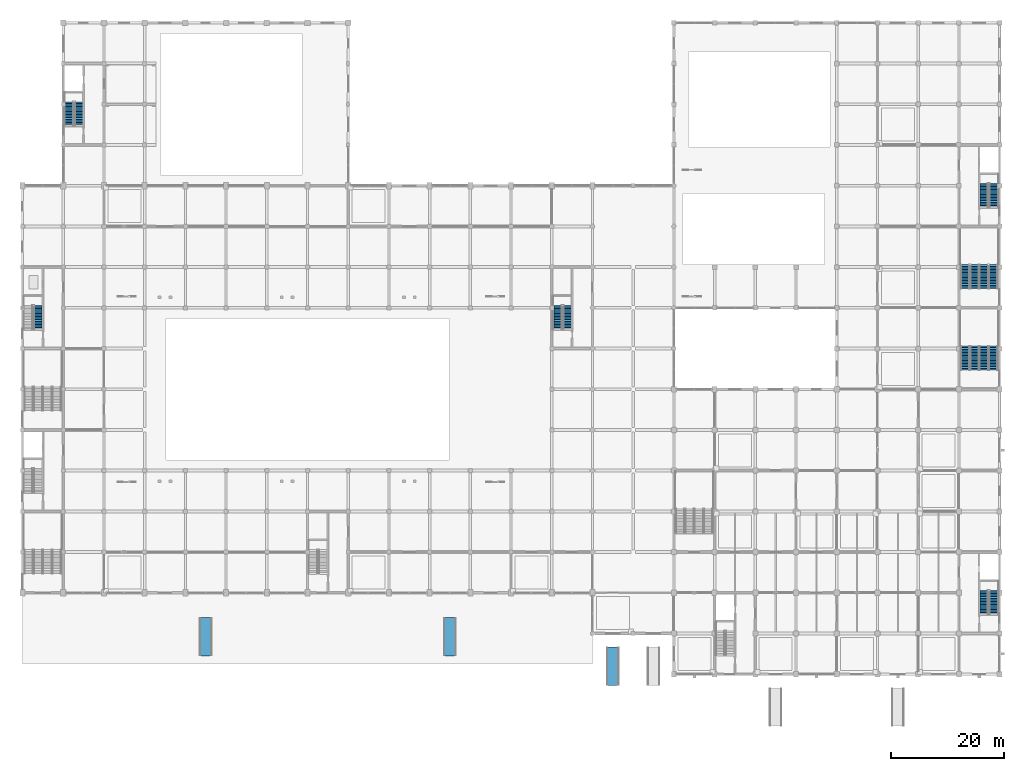
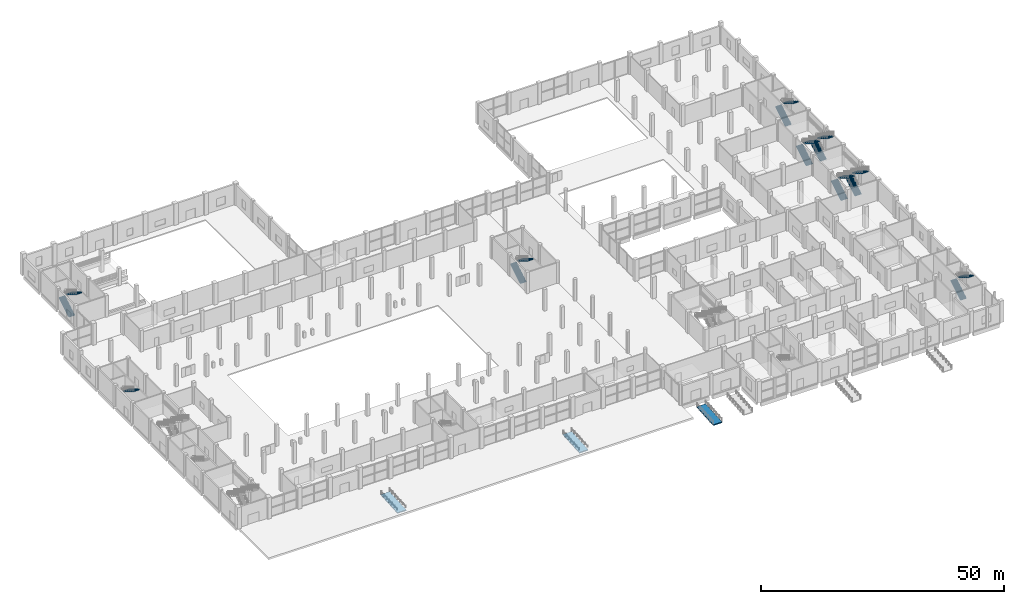
# One storey, part 55 of 70: 17 stair flights, 3 ramp flights, 12 elements without a shape of their own.
"""IFC4 building model written with IfcOpenShell, lengths in metres."""

from ifc_helpers import new_model, si_unit, direction, frame, origin, place, context, subcontext, project, spatial, polyline, outline, extrude, material, layer, layer_set, type_object, element, aggregate, save


model = new_model("IFC4")

# Units and contexts
model_context = context("Model", 3, precision=1e-05, world=origin(), true_north=direction((0.0, 1.0)))
body_context = subcontext(model_context, "Body", "Model", "MODEL_VIEW")
ifc_project = project(units=[si_unit("LENGTHUNIT", "METRE"), si_unit("AREAUNIT", "SQUARE_METRE"), si_unit("VOLUMEUNIT", "CUBIC_METRE"), si_unit("PLANEANGLEUNIT", "RADIAN"), si_unit("MASSUNIT", "GRAM", prefix="KILO")], contexts=[model_context])

# Site, building, storey
site_placement = place(None, origin())
site = spatial("IfcSite", under=ifc_project, at=site_placement, CompositionType="ELEMENT")
building_placement = place(site_placement, origin())
building = spatial("IfcBuilding", under=site, at=building_placement, Name="Vesperath Aquatics Centre", CompositionType="ELEMENT")
storey_placement = place(building_placement, origin())
storey = spatial("IfcBuildingStorey", under=building, at=storey_placement, Name="L00", CompositionType="ELEMENT", Elevation=0.0)

# Stair, stair flight
ifc_material_1 = material(Name="Concrete C35", Category="concrete")
stair_type_1 = type_object("IfcStairType", Name="ST-HT54", PredefinedType="HALF_TURN_STAIR", material=ifc_material_1)
stair_1_placement = place(storey_placement, origin())
stair_1 = element("IfcStair", 1, at=stair_1_placement, inside=storey, type_object=stair_type_1, Name="Enclosed Exit Stair ST2 L00", PredefinedType="HALF_TURN_STAIR")
stair_flight_type_1 = type_object("IfcStairFlightType", Name="SF-F54", PredefinedType="STRAIGHT", material=ifc_material_1)
stair_flight_1_placement = place(storey_placement, frame((2.75, 65.219970703125, 2.699951171875), z_axis=(0.0, 0.0, 1.0), x_axis=(0.0, -1.0, 0.0)))
stair_flight_1 = element("IfcStairFlight", 2, at=stair_flight_1_placement, type_object=stair_flight_type_1, Name="Stair ST2 Flight 2 L00", NumberOfRisers=16, NumberOfTreads=15, PredefinedType="STRAIGHT", RiserHeight=0.16875, TreadLength=0.28, context=body_context, shape_type="SweptSolid", body=[
    extrude(outline(polyline([(0.0, 0.0), (0.0, 0.168701171875), (0.280029296875, 0.168701171875), (0.280029296875, 0.33740234375), (0.56005859375, 0.33740234375), (0.56005859375, 0.50634765625), (0.840087890625, 0.50634765625), (0.840087890625, 0.675048828125), (1.1201171875, 0.675048828125), (1.1201171875, 0.84375), (1.39990234375, 0.84375), (1.39990234375, 1.012451171875), (1.679931640625, 1.012451171875), (1.679931640625, 1.18115234375), (1.9599609375, 1.18115234375), (1.9599609375, 1.35009765625), (2.239990234375, 1.35009765625), (2.239990234375, 1.518798828125), (2.52001953125, 1.518798828125), (2.52001953125, 1.6875), (2.800048828125, 1.6875), (2.800048828125, 1.856201171875), (3.080078125, 1.856201171875), (3.080078125, 2.02490234375), (3.360107421875, 2.02490234375), (3.360107421875, 2.19384765625), (3.639892578125, 2.19384765625), (3.639892578125, 2.362548828125), (3.919921875, 2.362548828125), (3.919921875, 2.53125), (4.199951171875, 2.53125), (4.199951171875, 2.699951171875), (4.199951171875, 2.3212890625), (0.3486328125, 0.0), (0.0, 0.0)])), frame((0.0, 0.719970703125, 0.0), z_axis=(0.0, -1.0, 0.0), x_axis=(1.0, 0.0, 0.0)), (0.0, 0.0, 1.0), 1.43994140625),
])
aggregate(stair_1, [stair_flight_1])

# Stair, stair flights
stair_2_placement = place(storey_placement, origin())
stair_2 = element("IfcStair", 3, at=stair_2_placement, inside=storey, type_object=stair_type_1, Name="Enclosed Exit Stair ST8 L00", PredefinedType="HALF_TURN_STAIR")
stair_flight_2_placement = place(storey_placement, frame((94.669921875, 61.02001953125, 0.0), z_axis=(0.0, 0.0, 1.0), x_axis=(0.0, 1.0, 0.0)))
stair_flight_2 = element("IfcStairFlight", 4, at=stair_flight_2_placement, type_object=stair_flight_type_1, Name="Stair ST8 Flight 1 L00", NumberOfRisers=16, NumberOfTreads=15, PredefinedType="STRAIGHT", RiserHeight=0.16875, TreadLength=0.28, context=body_context, shape_type="SweptSolid", body=[
    extrude(outline(polyline([(0.0, 0.0), (0.0, 0.168701171875), (0.280029296875, 0.168701171875), (0.280029296875, 0.33740234375), (0.56005859375, 0.33740234375), (0.56005859375, 0.50634765625), (0.840087890625, 0.50634765625), (0.840087890625, 0.675048828125), (1.1201171875, 0.675048828125), (1.1201171875, 0.84375), (1.39990234375, 0.84375), (1.39990234375, 1.012451171875), (1.679931640625, 1.012451171875), (1.679931640625, 1.18115234375), (1.9599609375, 1.18115234375), (1.9599609375, 1.35009765625), (2.239990234375, 1.35009765625), (2.239990234375, 1.518798828125), (2.52001953125, 1.518798828125), (2.52001953125, 1.6875), (2.800048828125, 1.6875), (2.800048828125, 1.856201171875), (3.080078125, 1.856201171875), (3.080078125, 2.02490234375), (3.360107421875, 2.02490234375), (3.360107421875, 2.19384765625), (3.639892578125, 2.19384765625), (3.639892578125, 2.362548828125), (3.919921875, 2.362548828125), (3.919921875, 2.53125), (4.199951171875, 2.53125), (4.199951171875, 2.699951171875), (4.199951171875, 2.3212890625), (0.3486328125, 0.0), (0.0, 0.0)])), frame((0.0, 0.719970703125, 0.0), z_axis=(0.0, -1.0, 0.0), x_axis=(1.0, 0.0, 0.0)), (0.0, 0.0, 1.0), 1.43994140625),
])
stair_flight_3_placement = place(storey_placement, frame((96.35009765625, 65.219970703125, 2.699951171875), z_axis=(0.0, 0.0, 1.0), x_axis=(0.0, -1.0, 0.0)))
stair_flight_3 = element("IfcStairFlight", 5, at=stair_flight_3_placement, type_object=stair_flight_type_1, Name="Stair ST8 Flight 2 L00", NumberOfRisers=16, NumberOfTreads=15, PredefinedType="STRAIGHT", RiserHeight=0.16875, TreadLength=0.28, context=body_context, shape_type="SweptSolid", body=[
    extrude(outline(polyline([(0.0, 0.0), (0.0, 0.168701171875), (0.280029296875, 0.168701171875), (0.280029296875, 0.33740234375), (0.56005859375, 0.33740234375), (0.56005859375, 0.50634765625), (0.840087890625, 0.50634765625), (0.840087890625, 0.675048828125), (1.1201171875, 0.675048828125), (1.1201171875, 0.84375), (1.39990234375, 0.84375), (1.39990234375, 1.012451171875), (1.679931640625, 1.012451171875), (1.679931640625, 1.18115234375), (1.9599609375, 1.18115234375), (1.9599609375, 1.35009765625), (2.239990234375, 1.35009765625), (2.239990234375, 1.518798828125), (2.52001953125, 1.518798828125), (2.52001953125, 1.6875), (2.800048828125, 1.6875), (2.800048828125, 1.856201171875), (3.080078125, 1.856201171875), (3.080078125, 2.02490234375), (3.360107421875, 2.02490234375), (3.360107421875, 2.19384765625), (3.639892578125, 2.19384765625), (3.639892578125, 2.362548828125), (3.919921875, 2.362548828125), (3.919921875, 2.53125), (4.199951171875, 2.53125), (4.199951171875, 2.699951171875), (4.199951171875, 2.3212890625), (0.3486328125, 0.0), (0.0, 0.0)])), frame((0.0, 0.719970703125, 0.0), z_axis=(0.0, -1.0, 0.0), x_axis=(1.0, 0.0, 0.0)), (0.0, 0.0, 1.0), 1.43994140625),
])
aggregate(stair_2, [stair_flight_2, stair_flight_3])

stair_3_placement = place(storey_placement, origin())
stair_3 = element("IfcStair", 6, at=stair_3_placement, inside=storey, type_object=stair_type_1, Name="Enclosed Exit Stair ST3 L00", PredefinedType="HALF_TURN_STAIR")
stair_flight_4_placement = place(storey_placement, frame((8.27001953125, 97.02001953125, 0.0), z_axis=(0.0, 0.0, 1.0), x_axis=(0.0, 1.0, 0.0)))
stair_flight_4 = element("IfcStairFlight", 7, at=stair_flight_4_placement, type_object=stair_flight_type_1, Name="Stair ST3 Flight 1 L00", NumberOfRisers=16, NumberOfTreads=15, PredefinedType="STRAIGHT", RiserHeight=0.16875, TreadLength=0.28, context=body_context, shape_type="SweptSolid", body=[
    extrude(outline(polyline([(0.0, 0.0), (0.0, 0.168701171875), (0.280029296875, 0.168701171875), (0.280029296875, 0.33740234375), (0.56005859375, 0.33740234375), (0.56005859375, 0.50634765625), (0.840087890625, 0.50634765625), (0.840087890625, 0.675048828125), (1.1201171875, 0.675048828125), (1.1201171875, 0.84375), (1.39990234375, 0.84375), (1.39990234375, 1.012451171875), (1.679931640625, 1.012451171875), (1.679931640625, 1.18115234375), (1.9599609375, 1.18115234375), (1.9599609375, 1.35009765625), (2.239990234375, 1.35009765625), (2.239990234375, 1.518798828125), (2.52001953125, 1.518798828125), (2.52001953125, 1.6875), (2.800048828125, 1.6875), (2.800048828125, 1.856201171875), (3.080078125, 1.856201171875), (3.080078125, 2.02490234375), (3.360107421875, 2.02490234375), (3.360107421875, 2.19384765625), (3.639892578125, 2.19384765625), (3.639892578125, 2.362548828125), (3.919921875, 2.362548828125), (3.919921875, 2.53125), (4.199951171875, 2.53125), (4.199951171875, 2.699951171875), (4.199951171875, 2.3212890625), (0.3486328125, 0.0), (0.0, 0.0)])), frame((0.0, 0.719970703125, 0.0), z_axis=(0.0, -1.0, 0.0), x_axis=(1.0, 0.0, 0.0)), (0.0, 0.0, 1.0), 1.43994140625),
])
stair_flight_5_placement = place(storey_placement, frame((9.949951171875, 101.219970703125, 2.699951171875), z_axis=(0.0, 0.0, 1.0), x_axis=(0.0, -1.0, 0.0)))
stair_flight_5 = element("IfcStairFlight", 8, at=stair_flight_5_placement, type_object=stair_flight_type_1, Name="Stair ST3 Flight 2 L00", NumberOfRisers=16, NumberOfTreads=15, PredefinedType="STRAIGHT", RiserHeight=0.16875, TreadLength=0.28, context=body_context, shape_type="SweptSolid", body=[
    extrude(outline(polyline([(0.0, 0.0), (0.0, 0.168701171875), (0.280029296875, 0.168701171875), (0.280029296875, 0.33740234375), (0.56005859375, 0.33740234375), (0.56005859375, 0.50634765625), (0.840087890625, 0.50634765625), (0.840087890625, 0.675048828125), (1.1201171875, 0.675048828125), (1.1201171875, 0.84375), (1.39990234375, 0.84375), (1.39990234375, 1.012451171875), (1.679931640625, 1.012451171875), (1.679931640625, 1.18115234375), (1.9599609375, 1.18115234375), (1.9599609375, 1.35009765625), (2.239990234375, 1.35009765625), (2.239990234375, 1.518798828125), (2.52001953125, 1.518798828125), (2.52001953125, 1.6875), (2.800048828125, 1.6875), (2.800048828125, 1.856201171875), (3.080078125, 1.856201171875), (3.080078125, 2.02490234375), (3.360107421875, 2.02490234375), (3.360107421875, 2.19384765625), (3.639892578125, 2.19384765625), (3.639892578125, 2.362548828125), (3.919921875, 2.362548828125), (3.919921875, 2.53125), (4.199951171875, 2.53125), (4.199951171875, 2.699951171875), (4.199951171875, 2.3212890625), (0.3486328125, 0.0), (0.0, 0.0)])), frame((0.0, 0.719970703125, 0.0), z_axis=(0.0, -1.0, 0.0), x_axis=(1.0, 0.0, 0.0)), (0.0, 0.0, 1.0), 1.43994140625),
])
aggregate(stair_3, [stair_flight_4, stair_flight_5])

stair_4_placement = place(storey_placement, origin())
stair_4 = element("IfcStair", 9, at=stair_4_placement, inside=storey, type_object=stair_type_1, Name="Enclosed Exit Stair ST4 L00", PredefinedType="HALF_TURN_STAIR")
stair_flight_6_placement = place(storey_placement, frame((170.070068359375, 82.6201171875, 0.0), z_axis=(0.0, 0.0, 1.0), x_axis=(0.0, 1.0, 0.0)))
stair_flight_6 = element("IfcStairFlight", 10, at=stair_flight_6_placement, type_object=stair_flight_type_1, Name="Stair ST4 Flight 1 L00", NumberOfRisers=16, NumberOfTreads=15, PredefinedType="STRAIGHT", RiserHeight=0.16875, TreadLength=0.28, context=body_context, shape_type="SweptSolid", body=[
    extrude(outline(polyline([(0.0, 0.0), (0.0, 0.168701171875), (0.280029296875, 0.168701171875), (0.280029296875, 0.33740234375), (0.56005859375, 0.33740234375), (0.56005859375, 0.50634765625), (0.840087890625, 0.50634765625), (0.840087890625, 0.675048828125), (1.1201171875, 0.675048828125), (1.1201171875, 0.84375), (1.39990234375, 0.84375), (1.39990234375, 1.012451171875), (1.679931640625, 1.012451171875), (1.679931640625, 1.18115234375), (1.9599609375, 1.18115234375), (1.9599609375, 1.35009765625), (2.239990234375, 1.35009765625), (2.239990234375, 1.518798828125), (2.52001953125, 1.518798828125), (2.52001953125, 1.6875), (2.800048828125, 1.6875), (2.800048828125, 1.856201171875), (3.080078125, 1.856201171875), (3.080078125, 2.02490234375), (3.360107421875, 2.02490234375), (3.360107421875, 2.19384765625), (3.639892578125, 2.19384765625), (3.639892578125, 2.362548828125), (3.919921875, 2.362548828125), (3.919921875, 2.53125), (4.199951171875, 2.53125), (4.199951171875, 2.699951171875), (4.199951171875, 2.3212890625), (0.3486328125, 0.0), (0.0, 0.0)])), frame((0.0, 0.719970703125, 0.0), z_axis=(0.0, -1.0, 0.0), x_axis=(1.0, 0.0, 0.0)), (0.0, 0.0, 1.0), 1.43994140625),
])
stair_flight_7_placement = place(storey_placement, frame((171.75, 86.820068359375, 2.699951171875), z_axis=(0.0, 0.0, 1.0), x_axis=(0.0, -1.0, 0.0)))
stair_flight_7 = element("IfcStairFlight", 11, at=stair_flight_7_placement, type_object=stair_flight_type_1, Name="Stair ST4 Flight 2 L00", NumberOfRisers=16, NumberOfTreads=15, PredefinedType="STRAIGHT", RiserHeight=0.16875, TreadLength=0.28, context=body_context, shape_type="SweptSolid", body=[
    extrude(outline(polyline([(0.0, 0.0), (0.0, 0.168701171875), (0.280029296875, 0.168701171875), (0.280029296875, 0.33740234375), (0.56005859375, 0.33740234375), (0.56005859375, 0.50634765625), (0.840087890625, 0.50634765625), (0.840087890625, 0.675048828125), (1.1201171875, 0.675048828125), (1.1201171875, 0.84375), (1.39990234375, 0.84375), (1.39990234375, 1.012451171875), (1.679931640625, 1.012451171875), (1.679931640625, 1.18115234375), (1.9599609375, 1.18115234375), (1.9599609375, 1.35009765625), (2.239990234375, 1.35009765625), (2.239990234375, 1.518798828125), (2.52001953125, 1.518798828125), (2.52001953125, 1.6875), (2.800048828125, 1.6875), (2.800048828125, 1.856201171875), (3.080078125, 1.856201171875), (3.080078125, 2.02490234375), (3.360107421875, 2.02490234375), (3.360107421875, 2.19384765625), (3.639892578125, 2.19384765625), (3.639892578125, 2.362548828125), (3.919921875, 2.362548828125), (3.919921875, 2.53125), (4.199951171875, 2.53125), (4.199951171875, 2.699951171875), (4.199951171875, 2.3212890625), (0.3486328125, 0.0), (0.0, 0.0)])), frame((0.0, 0.719970703125, 0.0), z_axis=(0.0, -1.0, 0.0), x_axis=(1.0, 0.0, 0.0)), (0.0, 0.0, 1.0), 1.43994140625),
])
aggregate(stair_4, [stair_flight_6, stair_flight_7])

stair_5_placement = place(storey_placement, origin())
stair_5 = element("IfcStair", 12, at=stair_5_placement, inside=storey, type_object=stair_type_1, Name="Enclosed Exit Stair ST6 L00", PredefinedType="HALF_TURN_STAIR")
stair_flight_8_placement = place(storey_placement, frame((170.070068359375, 10.6201171875, 0.0), z_axis=(0.0, 0.0, 1.0), x_axis=(0.0, 1.0, 0.0)))
stair_flight_8 = element("IfcStairFlight", 13, at=stair_flight_8_placement, type_object=stair_flight_type_1, Name="Stair ST6 Flight 1 L00", NumberOfRisers=16, NumberOfTreads=15, PredefinedType="STRAIGHT", RiserHeight=0.16875, TreadLength=0.28, context=body_context, shape_type="SweptSolid", body=[
    extrude(outline(polyline([(0.0, 0.0), (0.0, 0.168701171875), (0.280029296875, 0.168701171875), (0.280029296875, 0.33740234375), (0.56005859375, 0.33740234375), (0.56005859375, 0.50634765625), (0.840087890625, 0.50634765625), (0.840087890625, 0.675048828125), (1.1201171875, 0.675048828125), (1.1201171875, 0.84375), (1.39990234375, 0.84375), (1.39990234375, 1.012451171875), (1.679931640625, 1.012451171875), (1.679931640625, 1.18115234375), (1.9599609375, 1.18115234375), (1.9599609375, 1.35009765625), (2.239990234375, 1.35009765625), (2.239990234375, 1.518798828125), (2.52001953125, 1.518798828125), (2.52001953125, 1.6875), (2.800048828125, 1.6875), (2.800048828125, 1.856201171875), (3.080078125, 1.856201171875), (3.080078125, 2.02490234375), (3.360107421875, 2.02490234375), (3.360107421875, 2.19384765625), (3.639892578125, 2.19384765625), (3.639892578125, 2.362548828125), (3.919921875, 2.362548828125), (3.919921875, 2.53125), (4.199951171875, 2.53125), (4.199951171875, 2.699951171875), (4.199951171875, 2.3212890625), (0.3486328125, 0.0), (0.0, 0.0)])), frame((0.0, 0.719970703125, 0.0), z_axis=(0.0, -1.0, 0.0), x_axis=(1.0, 0.0, 0.0)), (0.0, 0.0, 1.0), 1.43994140625),
])
stair_flight_9_placement = place(storey_placement, frame((171.75, 14.820068359375, 2.699951171875), z_axis=(0.0, 0.0, 1.0), x_axis=(0.0, -1.0, 0.0)))
stair_flight_9 = element("IfcStairFlight", 14, at=stair_flight_9_placement, type_object=stair_flight_type_1, Name="Stair ST6 Flight 2 L00", NumberOfRisers=16, NumberOfTreads=15, PredefinedType="STRAIGHT", RiserHeight=0.16875, TreadLength=0.28, context=body_context, shape_type="SweptSolid", body=[
    extrude(outline(polyline([(0.0, 0.0), (0.0, 0.168701171875), (0.280029296875, 0.168701171875), (0.280029296875, 0.33740234375), (0.56005859375, 0.33740234375), (0.56005859375, 0.50634765625), (0.840087890625, 0.50634765625), (0.840087890625, 0.675048828125), (1.1201171875, 0.675048828125), (1.1201171875, 0.84375), (1.39990234375, 0.84375), (1.39990234375, 1.012451171875), (1.679931640625, 1.012451171875), (1.679931640625, 1.18115234375), (1.9599609375, 1.18115234375), (1.9599609375, 1.35009765625), (2.239990234375, 1.35009765625), (2.239990234375, 1.518798828125), (2.52001953125, 1.518798828125), (2.52001953125, 1.6875), (2.800048828125, 1.6875), (2.800048828125, 1.856201171875), (3.080078125, 1.856201171875), (3.080078125, 2.02490234375), (3.360107421875, 2.02490234375), (3.360107421875, 2.19384765625), (3.639892578125, 2.19384765625), (3.639892578125, 2.362548828125), (3.919921875, 2.362548828125), (3.919921875, 2.53125), (4.199951171875, 2.53125), (4.199951171875, 2.699951171875), (4.199951171875, 2.3212890625), (0.3486328125, 0.0), (0.0, 0.0)])), frame((0.0, 0.719970703125, 0.0), z_axis=(0.0, -1.0, 0.0), x_axis=(1.0, 0.0, 0.0)), (0.0, 0.0, 1.0), 1.43994140625),
])
aggregate(stair_5, [stair_flight_8, stair_flight_9])

stair_type_2 = type_object("IfcStairType", Name="ST-HW54", PredefinedType="HALF_TURN_STAIR", material=ifc_material_1)
stair_6_placement = place(storey_placement, origin())
stair_6 = element("IfcStair", 15, at=stair_6_placement, inside=storey, type_object=stair_type_2, Name="Enclosed Exit Stair ST12A L00", PredefinedType="HALF_TURN_STAIR")
stair_flight_type_2 = type_object("IfcStairFlightType", Name="SF-W54", PredefinedType="STRAIGHT", material=ifc_material_1)
stair_flight_10_placement = place(storey_placement, frame((166.72509765625, 53.820068359375, 0.0), z_axis=(0.0, 0.0, 1.0), x_axis=(0.0, 1.0, 0.0)))
stair_flight_10 = element("IfcStairFlight", 16, at=stair_flight_10_placement, type_object=stair_flight_type_2, Name="Stair ST12A Flight 1 L00", NumberOfRisers=16, NumberOfTreads=15, PredefinedType="STRAIGHT", RiserHeight=0.16875, TreadLength=0.28, context=body_context, shape_type="SweptSolid", body=[
    extrude(outline(polyline([(0.0, 0.0), (0.0, 0.168701171875), (0.280029296875, 0.168701171875), (0.280029296875, 0.33740234375), (0.56005859375, 0.33740234375), (0.56005859375, 0.50634765625), (0.840087890625, 0.50634765625), (0.840087890625, 0.675048828125), (1.1201171875, 0.675048828125), (1.1201171875, 0.84375), (1.39990234375, 0.84375), (1.39990234375, 1.012451171875), (1.679931640625, 1.012451171875), (1.679931640625, 1.18115234375), (1.9599609375, 1.18115234375), (1.9599609375, 1.35009765625), (2.239990234375, 1.35009765625), (2.239990234375, 1.518798828125), (2.52001953125, 1.518798828125), (2.52001953125, 1.6875), (2.800048828125, 1.6875), (2.800048828125, 1.856201171875), (3.080078125, 1.856201171875), (3.080078125, 2.02490234375), (3.360107421875, 2.02490234375), (3.360107421875, 2.19384765625), (3.639892578125, 2.19384765625), (3.639892578125, 2.362548828125), (3.919921875, 2.362548828125), (3.919921875, 2.53125), (4.199951171875, 2.53125), (4.199951171875, 2.699951171875), (4.199951171875, 2.3212890625), (0.3486328125, 0.0), (0.0, 0.0)])), frame((0.0, 0.78515625, 0.0), z_axis=(0.0, -1.0, 0.0), x_axis=(1.0, 0.0, 0.0)), (0.0, 0.0, 1.0), 1.570068359375),
])
stair_flight_11_placement = place(storey_placement, frame((168.375, 58.02001953125, 2.699951171875), z_axis=(0.0, 0.0, 1.0), x_axis=(0.0, -1.0, 0.0)))
stair_flight_11 = element("IfcStairFlight", 17, at=stair_flight_11_placement, type_object=stair_flight_type_2, Name="Stair ST12A Flight 2 L00", NumberOfRisers=16, NumberOfTreads=15, PredefinedType="STRAIGHT", RiserHeight=0.16875, TreadLength=0.28, context=body_context, shape_type="SweptSolid", body=[
    extrude(outline(polyline([(0.0, 0.0), (0.0, 0.168701171875), (0.280029296875, 0.168701171875), (0.280029296875, 0.33740234375), (0.56005859375, 0.33740234375), (0.56005859375, 0.50634765625), (0.840087890625, 0.50634765625), (0.840087890625, 0.675048828125), (1.1201171875, 0.675048828125), (1.1201171875, 0.84375), (1.39990234375, 0.84375), (1.39990234375, 1.012451171875), (1.679931640625, 1.012451171875), (1.679931640625, 1.18115234375), (1.9599609375, 1.18115234375), (1.9599609375, 1.35009765625), (2.239990234375, 1.35009765625), (2.239990234375, 1.518798828125), (2.52001953125, 1.518798828125), (2.52001953125, 1.6875), (2.800048828125, 1.6875), (2.800048828125, 1.856201171875), (3.080078125, 1.856201171875), (3.080078125, 2.02490234375), (3.360107421875, 2.02490234375), (3.360107421875, 2.19384765625), (3.639892578125, 2.19384765625), (3.639892578125, 2.362548828125), (3.919921875, 2.362548828125), (3.919921875, 2.53125), (4.199951171875, 2.53125), (4.199951171875, 2.699951171875), (4.199951171875, 2.3212890625), (0.3486328125, 0.0), (0.0, 0.0)])), frame((0.0, 0.78515625, 0.0), z_axis=(0.0, -1.0, 0.0), x_axis=(1.0, 0.0, 0.0)), (0.0, 0.0, 1.0), 1.570068359375),
])
aggregate(stair_6, [stair_flight_10, stair_flight_11])

stair_7_placement = place(storey_placement, origin())
stair_7 = element("IfcStair", 18, at=stair_7_placement, inside=storey, type_object=stair_type_2, Name="Enclosed Exit Stair ST12B L00", PredefinedType="HALF_TURN_STAIR")
stair_flight_12_placement = place(storey_placement, frame((170.02490234375, 53.820068359375, 0.0), z_axis=(0.0, 0.0, 1.0), x_axis=(0.0, 1.0, 0.0)))
stair_flight_12 = element("IfcStairFlight", 19, at=stair_flight_12_placement, type_object=stair_flight_type_2, Name="Stair ST12B Flight 1 L00", NumberOfRisers=16, NumberOfTreads=15, PredefinedType="STRAIGHT", RiserHeight=0.16875, TreadLength=0.28, context=body_context, shape_type="SweptSolid", body=[
    extrude(outline(polyline([(0.0, 0.0), (0.0, 0.168701171875), (0.280029296875, 0.168701171875), (0.280029296875, 0.33740234375), (0.56005859375, 0.33740234375), (0.56005859375, 0.50634765625), (0.840087890625, 0.50634765625), (0.840087890625, 0.675048828125), (1.1201171875, 0.675048828125), (1.1201171875, 0.84375), (1.39990234375, 0.84375), (1.39990234375, 1.012451171875), (1.679931640625, 1.012451171875), (1.679931640625, 1.18115234375), (1.9599609375, 1.18115234375), (1.9599609375, 1.35009765625), (2.239990234375, 1.35009765625), (2.239990234375, 1.518798828125), (2.52001953125, 1.518798828125), (2.52001953125, 1.6875), (2.800048828125, 1.6875), (2.800048828125, 1.856201171875), (3.080078125, 1.856201171875), (3.080078125, 2.02490234375), (3.360107421875, 2.02490234375), (3.360107421875, 2.19384765625), (3.639892578125, 2.19384765625), (3.639892578125, 2.362548828125), (3.919921875, 2.362548828125), (3.919921875, 2.53125), (4.199951171875, 2.53125), (4.199951171875, 2.699951171875), (4.199951171875, 2.3212890625), (0.3486328125, 0.0), (0.0, 0.0)])), frame((0.0, 0.78515625, 0.0), z_axis=(0.0, -1.0, 0.0), x_axis=(1.0, 0.0, 0.0)), (0.0, 0.0, 1.0), 1.570068359375),
])
stair_flight_13_placement = place(storey_placement, frame((171.675048828125, 58.02001953125, 2.699951171875), z_axis=(0.0, 0.0, 1.0), x_axis=(0.0, -1.0, 0.0)))
stair_flight_13 = element("IfcStairFlight", 20, at=stair_flight_13_placement, type_object=stair_flight_type_2, Name="Stair ST12B Flight 2 L00", NumberOfRisers=16, NumberOfTreads=15, PredefinedType="STRAIGHT", RiserHeight=0.16875, TreadLength=0.28, context=body_context, shape_type="SweptSolid", body=[
    extrude(outline(polyline([(0.0, 0.0), (0.0, 0.168701171875), (0.280029296875, 0.168701171875), (0.280029296875, 0.33740234375), (0.56005859375, 0.33740234375), (0.56005859375, 0.50634765625), (0.840087890625, 0.50634765625), (0.840087890625, 0.675048828125), (1.1201171875, 0.675048828125), (1.1201171875, 0.84375), (1.39990234375, 0.84375), (1.39990234375, 1.012451171875), (1.679931640625, 1.012451171875), (1.679931640625, 1.18115234375), (1.9599609375, 1.18115234375), (1.9599609375, 1.35009765625), (2.239990234375, 1.35009765625), (2.239990234375, 1.518798828125), (2.52001953125, 1.518798828125), (2.52001953125, 1.6875), (2.800048828125, 1.6875), (2.800048828125, 1.856201171875), (3.080078125, 1.856201171875), (3.080078125, 2.02490234375), (3.360107421875, 2.02490234375), (3.360107421875, 2.19384765625), (3.639892578125, 2.19384765625), (3.639892578125, 2.362548828125), (3.919921875, 2.362548828125), (3.919921875, 2.53125), (4.199951171875, 2.53125), (4.199951171875, 2.699951171875), (4.199951171875, 2.3212890625), (0.3486328125, 0.0), (0.0, 0.0)])), frame((0.0, 0.78515625, 0.0), z_axis=(0.0, -1.0, 0.0), x_axis=(1.0, 0.0, 0.0)), (0.0, 0.0, 1.0), 1.570068359375),
])
aggregate(stair_7, [stair_flight_12, stair_flight_13])

stair_8_placement = place(storey_placement, origin())
stair_8 = element("IfcStair", 21, at=stair_8_placement, inside=storey, type_object=stair_type_2, Name="Enclosed Exit Stair ST13A L00", PredefinedType="HALF_TURN_STAIR")
stair_flight_14_placement = place(storey_placement, frame((166.72509765625, 68.219970703125, 0.0), z_axis=(0.0, 0.0, 1.0), x_axis=(0.0, 1.0, 0.0)))
stair_flight_14 = element("IfcStairFlight", 22, at=stair_flight_14_placement, type_object=stair_flight_type_2, Name="Stair ST13A Flight 1 L00", NumberOfRisers=16, NumberOfTreads=15, PredefinedType="STRAIGHT", RiserHeight=0.16875, TreadLength=0.28, context=body_context, shape_type="SweptSolid", body=[
    extrude(outline(polyline([(0.0, 0.0), (0.0, 0.168701171875), (0.280029296875, 0.168701171875), (0.280029296875, 0.33740234375), (0.56005859375, 0.33740234375), (0.56005859375, 0.50634765625), (0.840087890625, 0.50634765625), (0.840087890625, 0.675048828125), (1.1201171875, 0.675048828125), (1.1201171875, 0.84375), (1.39990234375, 0.84375), (1.39990234375, 1.012451171875), (1.679931640625, 1.012451171875), (1.679931640625, 1.18115234375), (1.9599609375, 1.18115234375), (1.9599609375, 1.35009765625), (2.239990234375, 1.35009765625), (2.239990234375, 1.518798828125), (2.52001953125, 1.518798828125), (2.52001953125, 1.6875), (2.800048828125, 1.6875), (2.800048828125, 1.856201171875), (3.080078125, 1.856201171875), (3.080078125, 2.02490234375), (3.360107421875, 2.02490234375), (3.360107421875, 2.19384765625), (3.639892578125, 2.19384765625), (3.639892578125, 2.362548828125), (3.919921875, 2.362548828125), (3.919921875, 2.53125), (4.199951171875, 2.53125), (4.199951171875, 2.699951171875), (4.199951171875, 2.3212890625), (0.3486328125, 0.0), (0.0, 0.0)])), frame((0.0, 0.78515625, 0.0), z_axis=(0.0, -1.0, 0.0), x_axis=(1.0, 0.0, 0.0)), (0.0, 0.0, 1.0), 1.570068359375),
])
stair_flight_15_placement = place(storey_placement, frame((168.375, 72.419921875, 2.699951171875), z_axis=(0.0, 0.0, 1.0), x_axis=(0.0, -1.0, 0.0)))
stair_flight_15 = element("IfcStairFlight", 23, at=stair_flight_15_placement, type_object=stair_flight_type_2, Name="Stair ST13A Flight 2 L00", NumberOfRisers=16, NumberOfTreads=15, PredefinedType="STRAIGHT", RiserHeight=0.16875, TreadLength=0.28, context=body_context, shape_type="SweptSolid", body=[
    extrude(outline(polyline([(0.0, 0.0), (0.0, 0.168701171875), (0.280029296875, 0.168701171875), (0.280029296875, 0.33740234375), (0.56005859375, 0.33740234375), (0.56005859375, 0.50634765625), (0.840087890625, 0.50634765625), (0.840087890625, 0.675048828125), (1.1201171875, 0.675048828125), (1.1201171875, 0.84375), (1.39990234375, 0.84375), (1.39990234375, 1.012451171875), (1.679931640625, 1.012451171875), (1.679931640625, 1.18115234375), (1.9599609375, 1.18115234375), (1.9599609375, 1.35009765625), (2.239990234375, 1.35009765625), (2.239990234375, 1.518798828125), (2.52001953125, 1.518798828125), (2.52001953125, 1.6875), (2.800048828125, 1.6875), (2.800048828125, 1.856201171875), (3.080078125, 1.856201171875), (3.080078125, 2.02490234375), (3.360107421875, 2.02490234375), (3.360107421875, 2.19384765625), (3.639892578125, 2.19384765625), (3.639892578125, 2.362548828125), (3.919921875, 2.362548828125), (3.919921875, 2.53125), (4.199951171875, 2.53125), (4.199951171875, 2.699951171875), (4.199951171875, 2.3212890625), (0.3486328125, 0.0), (0.0, 0.0)])), frame((0.0, 0.78515625, 0.0), z_axis=(0.0, -1.0, 0.0), x_axis=(1.0, 0.0, 0.0)), (0.0, 0.0, 1.0), 1.570068359375),
])
aggregate(stair_8, [stair_flight_14, stair_flight_15])

stair_9_placement = place(storey_placement, origin())
stair_9 = element("IfcStair", 24, at=stair_9_placement, inside=storey, type_object=stair_type_2, Name="Enclosed Exit Stair ST13B L00", PredefinedType="HALF_TURN_STAIR")
stair_flight_16_placement = place(storey_placement, frame((170.02490234375, 68.219970703125, 0.0), z_axis=(0.0, 0.0, 1.0), x_axis=(0.0, 1.0, 0.0)))
stair_flight_16 = element("IfcStairFlight", 25, at=stair_flight_16_placement, type_object=stair_flight_type_2, Name="Stair ST13B Flight 1 L00", NumberOfRisers=16, NumberOfTreads=15, PredefinedType="STRAIGHT", RiserHeight=0.16875, TreadLength=0.28, context=body_context, shape_type="SweptSolid", body=[
    extrude(outline(polyline([(0.0, 0.0), (0.0, 0.168701171875), (0.280029296875, 0.168701171875), (0.280029296875, 0.33740234375), (0.56005859375, 0.33740234375), (0.56005859375, 0.50634765625), (0.840087890625, 0.50634765625), (0.840087890625, 0.675048828125), (1.1201171875, 0.675048828125), (1.1201171875, 0.84375), (1.39990234375, 0.84375), (1.39990234375, 1.012451171875), (1.679931640625, 1.012451171875), (1.679931640625, 1.18115234375), (1.9599609375, 1.18115234375), (1.9599609375, 1.35009765625), (2.239990234375, 1.35009765625), (2.239990234375, 1.518798828125), (2.52001953125, 1.518798828125), (2.52001953125, 1.6875), (2.800048828125, 1.6875), (2.800048828125, 1.856201171875), (3.080078125, 1.856201171875), (3.080078125, 2.02490234375), (3.360107421875, 2.02490234375), (3.360107421875, 2.19384765625), (3.639892578125, 2.19384765625), (3.639892578125, 2.362548828125), (3.919921875, 2.362548828125), (3.919921875, 2.53125), (4.199951171875, 2.53125), (4.199951171875, 2.699951171875), (4.199951171875, 2.3212890625), (0.3486328125, 0.0), (0.0, 0.0)])), frame((0.0, 0.78515625, 0.0), z_axis=(0.0, -1.0, 0.0), x_axis=(1.0, 0.0, 0.0)), (0.0, 0.0, 1.0), 1.570068359375),
])
stair_flight_17_placement = place(storey_placement, frame((171.675048828125, 72.419921875, 2.699951171875), z_axis=(0.0, 0.0, 1.0), x_axis=(0.0, -1.0, 0.0)))
stair_flight_17 = element("IfcStairFlight", 26, at=stair_flight_17_placement, type_object=stair_flight_type_2, Name="Stair ST13B Flight 2 L00", NumberOfRisers=16, NumberOfTreads=15, PredefinedType="STRAIGHT", RiserHeight=0.16875, TreadLength=0.28, context=body_context, shape_type="SweptSolid", body=[
    extrude(outline(polyline([(0.0, 0.0), (0.0, 0.168701171875), (0.280029296875, 0.168701171875), (0.280029296875, 0.33740234375), (0.56005859375, 0.33740234375), (0.56005859375, 0.50634765625), (0.840087890625, 0.50634765625), (0.840087890625, 0.675048828125), (1.1201171875, 0.675048828125), (1.1201171875, 0.84375), (1.39990234375, 0.84375), (1.39990234375, 1.012451171875), (1.679931640625, 1.012451171875), (1.679931640625, 1.18115234375), (1.9599609375, 1.18115234375), (1.9599609375, 1.35009765625), (2.239990234375, 1.35009765625), (2.239990234375, 1.518798828125), (2.52001953125, 1.518798828125), (2.52001953125, 1.6875), (2.800048828125, 1.6875), (2.800048828125, 1.856201171875), (3.080078125, 1.856201171875), (3.080078125, 2.02490234375), (3.360107421875, 2.02490234375), (3.360107421875, 2.19384765625), (3.639892578125, 2.19384765625), (3.639892578125, 2.362548828125), (3.919921875, 2.362548828125), (3.919921875, 2.53125), (4.199951171875, 2.53125), (4.199951171875, 2.699951171875), (4.199951171875, 2.3212890625), (0.3486328125, 0.0), (0.0, 0.0)])), frame((0.0, 0.78515625, 0.0), z_axis=(0.0, -1.0, 0.0), x_axis=(1.0, 0.0, 0.0)), (0.0, 0.0, 1.0), 1.570068359375),
])
aggregate(stair_9, [stair_flight_16, stair_flight_17])

# Ramp, ramp flight
ifc_material_2 = material(Name="Granite-paved reinforced concrete C35", Category="masonry")
ramp_type = type_object("IfcRampType", Name="RM-AR01", PredefinedType="STRAIGHT_RUN_RAMP", material=ifc_material_2)
ramp_1_placement = place(storey_placement, origin())
ramp_1 = element("IfcRamp", 27, at=ramp_1_placement, inside=storey, type_object=ramp_type, Name="Accessible Arrival Ramp RMP1 RMP_FC_W", PredefinedType="STRAIGHT_RUN_RAMP")
ifc_layer = layer(ifc_material_2, 0.239990234375)
ifc_layer_set = layer_set([ifc_layer], Name="Granite-paved reinforced concrete C35")
ramp_flight_type = type_object("IfcRampFlightType", Name="RF-ARF1", PredefinedType="STRAIGHT", material=ifc_layer_set)
ramp_flight_1_placement = place(storey_placement, frame((104.39990234375, -2.0, -0.449951171875), z_axis=(0.0, 0.0, 1.0), x_axis=(0.0, 1.0, 0.0)))
ramp_flight_1 = element("IfcRampFlight", 28, at=ramp_flight_1_placement, type_object=ramp_flight_type, Name="Accessible Ramp Flight RMF1 RMP_FC_W", PredefinedType="STRAIGHT", context=body_context, shape_type="SweptSolid", body=[
    extrude(outline(polyline([(0.0, -0.239990234375), (6.800048828125, 0.2099609375), (6.800048828125, 0.449951171875), (0.0, 0.0), (0.0, -0.239990234375)])), frame((0.0, 1.050048828125, 0.0), z_axis=(0.0, -1.0, 0.0), x_axis=(1.0, 0.0, 0.0)), (0.0, 0.0, 1.0), 2.10009765625),
])
aggregate(ramp_1, [ramp_flight_1])

ramp_2_placement = place(storey_placement, origin())
ramp_2 = element("IfcRamp", 29, at=ramp_2_placement, inside=storey, type_object=ramp_type, Name="Accessible Arrival Ramp RMP1 RMP_V1_S", PredefinedType="STRAIGHT_RUN_RAMP")
ramp_flight_2_placement = place(storey_placement, frame((32.39990234375, 3.199951171875, -0.449951171875), z_axis=(0.0, 0.0, 1.0), x_axis=(0.0, 1.0, 0.0)))
ramp_flight_2 = element("IfcRampFlight", 30, at=ramp_flight_2_placement, type_object=ramp_flight_type, Name="Accessible Ramp Flight RMF1 RMP_V1_S", PredefinedType="STRAIGHT", context=body_context, shape_type="SweptSolid", body=[
    extrude(outline(polyline([(0.0, -0.239990234375), (6.800048828125, 0.2099609375), (6.800048828125, 0.449951171875), (0.0, 0.0), (0.0, -0.239990234375)])), frame((0.0, 1.050048828125, 0.0), z_axis=(0.0, -1.0, 0.0), x_axis=(1.0, 0.0, 0.0)), (0.0, 0.0, 1.0), 2.10009765625),
])
aggregate(ramp_2, [ramp_flight_2])

ramp_3_placement = place(storey_placement, origin())
ramp_3 = element("IfcRamp", 31, at=ramp_3_placement, inside=storey, type_object=ramp_type, Name="Accessible Arrival Ramp RMP1 RMP_V1_E", PredefinedType="STRAIGHT_RUN_RAMP")
ramp_flight_3_placement = place(storey_placement, frame((75.60009765625, 3.199951171875, -0.449951171875), z_axis=(0.0, 0.0, 1.0), x_axis=(0.0, 1.0, 0.0)))
ramp_flight_3 = element("IfcRampFlight", 32, at=ramp_flight_3_placement, type_object=ramp_flight_type, Name="Accessible Ramp Flight RMF1 RMP_V1_E", PredefinedType="STRAIGHT", context=body_context, shape_type="SweptSolid", body=[
    extrude(outline(polyline([(0.0, -0.239990234375), (6.800048828125, 0.2099609375), (6.800048828125, 0.449951171875), (0.0, 0.0), (0.0, -0.239990234375)])), frame((0.0, 1.050048828125, 0.0), z_axis=(0.0, -1.0, 0.0), x_axis=(1.0, 0.0, 0.0)), (0.0, 0.0, 1.0), 2.10009765625),
])
aggregate(ramp_3, [ramp_flight_3])

save(model, "model.ifc")
